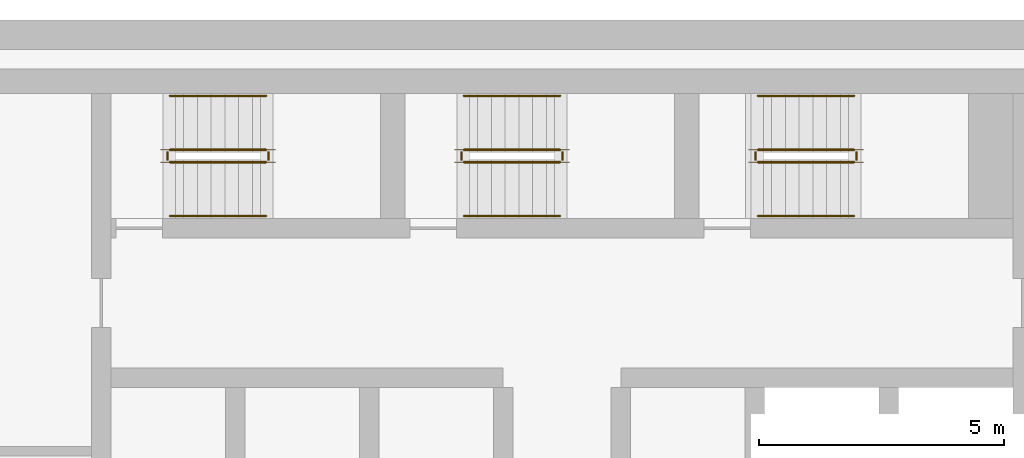
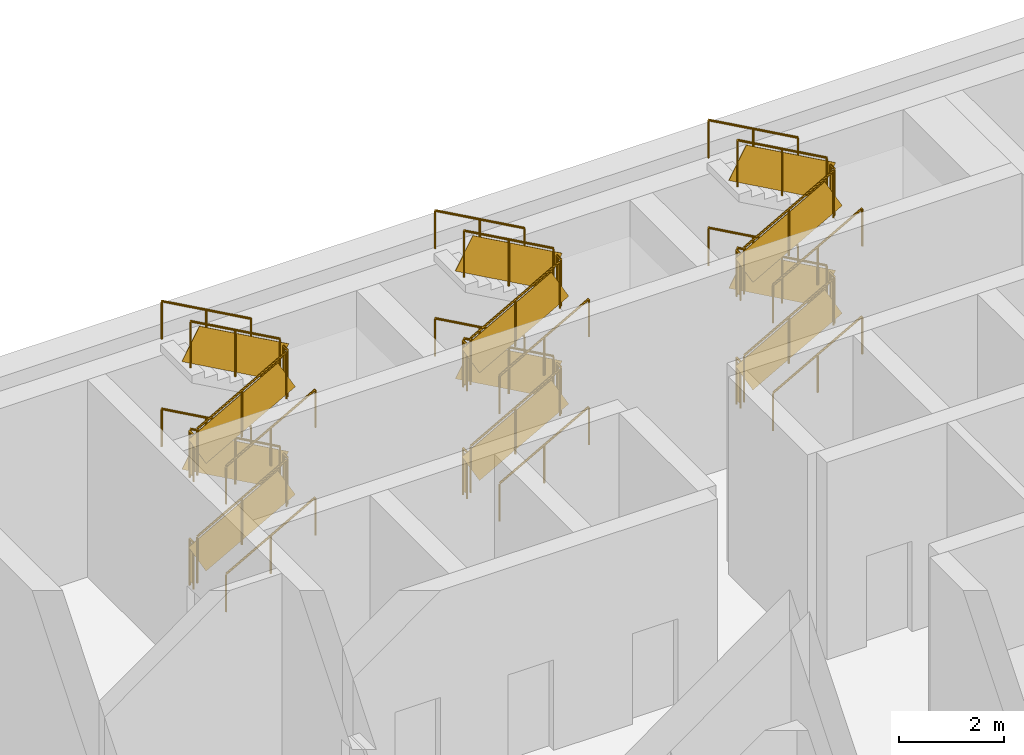
# One storey, part 11 of 12: 36 railings.
"""IFC4 building model written with IfcOpenShell, lengths in metres."""

from ifc_helpers import new_model, si_unit, direction, frame, origin, origin_2d, place, context, subcontext, project, spatial, rectangle, circle, extrude, material, type_object, element, save


model = new_model("IFC4")

# Units and contexts
model_context = context("Model", 3, precision=1e-05, world=origin(), true_north=direction((0.0, 1.0)))
body_context = subcontext(model_context, "Body", "Model", "MODEL_VIEW")
ifc_project = project(units=[si_unit("LENGTHUNIT", "METRE"), si_unit("AREAUNIT", "SQUARE_METRE"), si_unit("VOLUMEUNIT", "CUBIC_METRE"), si_unit("PLANEANGLEUNIT", "RADIAN"), si_unit("MASSUNIT", "GRAM", prefix="KILO")], contexts=[model_context])

# Site, building, storey
site_placement = place(None, origin())
site = spatial("IfcSite", under=ifc_project, at=site_placement, CompositionType="ELEMENT")
building_placement = place(site_placement, origin())
building = spatial("IfcBuilding", under=site, at=building_placement, Name="Vidyagriha Tower", CompositionType="ELEMENT")
storey_placement = place(building_placement, frame((0.0, 0.0, -5.0)))
storey = spatial("IfcBuildingStorey", under=building, at=storey_placement, Name="B1", CompositionType="ELEMENT", Elevation=-5.0)

# Railings
ifc_material_1 = material(Name="Steel ASTM A500 Grade C", Category="steel")
railing_type_1 = type_object("IfcRailingType", Name="Stair guard 1100 mm, steel balustrade", PredefinedType="GUARDRAIL", material=ifc_material_1)
railing_1_placement = place(storey_placement, frame((-8.0, 18.10009765625, 0.15625)))
element("IfcRailing", 1, at=railing_1_placement, inside=storey, type_object=railing_type_1, Name="B1 ST1 stair guard 1", PredefinedType="GUARDRAIL", context=body_context, shape_type="SweptSolid", body=[
    extrude(circle(Radius=0.02392578125, at=origin_2d()), frame((0.0, 0.0, 1.076171875), z_axis=(0.873232148454, 0.0, 0.487304437602), x_axis=(0.0, 1.0, 0.0)), (0.0, 0.0, 1.0), 2.244384765625),
    extrude(circle(Radius=0.02099609375, at=origin_2d()), origin(), (0.0, 0.0, 1.0), 1.052001953125),
    extrude(circle(Radius=0.02099609375, at=origin_2d()), frame((0.97998046875, 0.0, 0.546875)), (0.0, 0.0, 1.0), 1.052001953125),
    extrude(circle(Radius=0.02099609375, at=origin_2d()), frame((1.9599609375, 0.0, 1.09375)), (0.0, 0.0, 1.0), 1.052001953125),
    extrude(rectangle(XDim=0.010009765625, YDim=0.78759765625, at=origin_2d()), frame((0.0, 0.0, 0.551025390625), z_axis=(0.873232148454, 0.0, 0.487304437602), x_axis=(0.0, 1.0, 0.0)), (0.0, 0.0, 1.0), 2.244384765625),
])
railing_2_placement = place(storey_placement, frame((-5.989990234375, 18.14990234375, 1.25)))
element("IfcRailing", 2, at=railing_2_placement, inside=storey, type_object=railing_type_1, Name="B1 ST1 stair guard 2", PredefinedType="GUARDRAIL", context=body_context, shape_type="SweptSolid", body=[
    extrude(circle(Radius=0.02392578125, at=origin_2d()), frame((0.0, 0.0, 1.076171875), z_axis=(0.0, 1.0, 0.0), x_axis=(-1.0, 0.0, 0.0)), (0.0, 0.0, 1.0), 0.150146484375),
    extrude(circle(Radius=0.02099609375, at=origin_2d()), origin(), (0.0, 0.0, 1.0), 1.052001953125),
    extrude(circle(Radius=0.02099609375, at=origin_2d()), frame((0.0, 0.150146484375, 0.0)), (0.0, 0.0, 1.0), 1.052001953125),
    extrude(rectangle(XDim=0.010009765625, YDim=0.902099609375, at=origin_2d()), frame((0.0, 0.0, 0.551025390625), z_axis=(0.0, 1.0, 0.0), x_axis=(-1.0, 0.0, 0.0)), (0.0, 0.0, 1.0), 0.150146484375),
])
railing_3_placement = place(storey_placement, frame((-6.0400390625, 18.35009765625, 1.40625)))
element("IfcRailing", 3, at=railing_3_placement, inside=storey, type_object=railing_type_1, Name="B1 ST1 stair guard 3", PredefinedType="GUARDRAIL", context=body_context, shape_type="SweptSolid", body=[
    extrude(circle(Radius=0.02392578125, at=origin_2d()), frame((0.0, 0.0, 1.076171875), z_axis=(-0.873232148454, 0.0, 0.487304437602), x_axis=(0.0, -1.0, 0.0)), (0.0, 0.0, 1.0), 2.244384765625),
    extrude(circle(Radius=0.02099609375, at=origin_2d()), origin(), (0.0, 0.0, 1.0), 1.052001953125),
    extrude(circle(Radius=0.02099609375, at=origin_2d()), frame((-0.97998046875, 0.0, 0.546875)), (0.0, 0.0, 1.0), 1.052001953125),
    extrude(circle(Radius=0.02099609375, at=origin_2d()), frame((-1.9599609375, 0.0, 1.09375)), (0.0, 0.0, 1.0), 1.052001953125),
    extrude(rectangle(XDim=0.010009765625, YDim=0.78759765625, at=origin_2d()), frame((0.0, 0.0, 0.551025390625), z_axis=(-0.873232148454, 0.0, 0.487304437602), x_axis=(0.0, -1.0, 0.0)), (0.0, 0.0, 1.0), 2.244384765625),
])
railing_4_placement = place(storey_placement, frame((-8.050048828125, 18.14990234375, 2.5)))
element("IfcRailing", 4, at=railing_4_placement, inside=storey, type_object=railing_type_1, Name="B1 ST1 stair guard 4", PredefinedType="GUARDRAIL", context=body_context, shape_type="SweptSolid", body=[
    extrude(circle(Radius=0.02392578125, at=origin_2d()), frame((0.0, 0.0, 1.076171875), z_axis=(0.0, 1.0, 0.0), x_axis=(-1.0, 0.0, 0.0)), (0.0, 0.0, 1.0), 0.150146484375),
    extrude(circle(Radius=0.02099609375, at=origin_2d()), origin(), (0.0, 0.0, 1.0), 1.052001953125),
    extrude(circle(Radius=0.02099609375, at=origin_2d()), frame((0.0, 0.150146484375, 0.0)), (0.0, 0.0, 1.0), 1.052001953125),
    extrude(rectangle(XDim=0.010009765625, YDim=0.902099609375, at=origin_2d()), frame((0.0, 0.0, 0.551025390625), z_axis=(0.0, 1.0, 0.0), x_axis=(-1.0, 0.0, 0.0)), (0.0, 0.0, 1.0), 0.150146484375),
])
railing_5_placement = place(storey_placement, frame((-8.0, 18.10009765625, 2.65625)))
element("IfcRailing", 5, at=railing_5_placement, inside=storey, type_object=railing_type_1, Name="B1 ST1 stair guard 5", PredefinedType="GUARDRAIL", context=body_context, shape_type="SweptSolid", body=[
    extrude(circle(Radius=0.02392578125, at=origin_2d()), frame((0.0, 0.0, 1.076171875), z_axis=(0.873232148454, 0.0, 0.487304437602), x_axis=(0.0, 1.0, 0.0)), (0.0, 0.0, 1.0), 2.244384765625),
    extrude(circle(Radius=0.02099609375, at=origin_2d()), origin(), (0.0, 0.0, 1.0), 1.052001953125),
    extrude(circle(Radius=0.02099609375, at=origin_2d()), frame((0.97998046875, 0.0, 0.546875)), (0.0, 0.0, 1.0), 1.052001953125),
    extrude(circle(Radius=0.02099609375, at=origin_2d()), frame((1.9599609375, 0.0, 1.09375)), (0.0, 0.0, 1.0), 1.052001953125),
    extrude(rectangle(XDim=0.010009765625, YDim=0.78759765625, at=origin_2d()), frame((0.0, 0.0, 0.551025390625), z_axis=(0.873232148454, 0.0, 0.487304437602), x_axis=(0.0, 1.0, 0.0)), (0.0, 0.0, 1.0), 2.244384765625),
])
railing_6_placement = place(storey_placement, frame((-5.989990234375, 18.14990234375, 3.75)))
element("IfcRailing", 6, at=railing_6_placement, inside=storey, type_object=railing_type_1, Name="B1 ST1 stair guard 6", PredefinedType="GUARDRAIL", context=body_context, shape_type="SweptSolid", body=[
    extrude(circle(Radius=0.02392578125, at=origin_2d()), frame((0.0, 0.0, 1.076171875), z_axis=(0.0, 1.0, 0.0), x_axis=(-1.0, 0.0, 0.0)), (0.0, 0.0, 1.0), 0.150146484375),
    extrude(circle(Radius=0.02099609375, at=origin_2d()), origin(), (0.0, 0.0, 1.0), 1.052001953125),
    extrude(circle(Radius=0.02099609375, at=origin_2d()), frame((0.0, 0.150146484375, 0.0)), (0.0, 0.0, 1.0), 1.052001953125),
    extrude(rectangle(XDim=0.010009765625, YDim=0.902099609375, at=origin_2d()), frame((0.0, 0.0, 0.551025390625), z_axis=(0.0, 1.0, 0.0), x_axis=(-1.0, 0.0, 0.0)), (0.0, 0.0, 1.0), 0.150146484375),
])
railing_7_placement = place(storey_placement, frame((-6.0400390625, 18.35009765625, 3.90625)))
element("IfcRailing", 7, at=railing_7_placement, inside=storey, type_object=railing_type_1, Name="B1 ST1 stair guard 7", PredefinedType="GUARDRAIL", context=body_context, shape_type="SweptSolid", body=[
    extrude(circle(Radius=0.02392578125, at=origin_2d()), frame((0.0, 0.0, 1.076171875), z_axis=(-0.873232148454, 0.0, 0.487304437602), x_axis=(0.0, -1.0, 0.0)), (0.0, 0.0, 1.0), 2.244384765625),
    extrude(circle(Radius=0.02099609375, at=origin_2d()), origin(), (0.0, 0.0, 1.0), 1.052001953125),
    extrude(circle(Radius=0.02099609375, at=origin_2d()), frame((-0.97998046875, 0.0, 0.546875)), (0.0, 0.0, 1.0), 1.052001953125),
    extrude(circle(Radius=0.02099609375, at=origin_2d()), frame((-1.9599609375, 0.0, 1.09375)), (0.0, 0.0, 1.0), 1.052001953125),
    extrude(rectangle(XDim=0.010009765625, YDim=0.78759765625, at=origin_2d()), frame((0.0, 0.0, 0.551025390625), z_axis=(-0.873232148454, 0.0, 0.487304437602), x_axis=(0.0, -1.0, 0.0)), (0.0, 0.0, 1.0), 2.244384765625),
])
railing_8_placement = place(storey_placement, frame((-8.050048828125, 18.14990234375, 0.0)))
element("IfcRailing", 8, at=railing_8_placement, inside=storey, type_object=railing_type_1, Name="B1 ST1 stair guard 8", PredefinedType="GUARDRAIL", context=body_context, shape_type="SweptSolid", body=[
    extrude(circle(Radius=0.02392578125, at=origin_2d()), frame((0.0, 0.0, 1.076171875), z_axis=(0.0, 1.0, 0.0), x_axis=(-1.0, 0.0, 0.0)), (0.0, 0.0, 1.0), 0.150146484375),
    extrude(circle(Radius=0.02099609375, at=origin_2d()), origin(), (0.0, 0.0, 1.0), 1.052001953125),
    extrude(circle(Radius=0.02099609375, at=origin_2d()), frame((0.0, 0.150146484375, 0.0)), (0.0, 0.0, 1.0), 1.052001953125),
    extrude(rectangle(XDim=0.010009765625, YDim=0.902099609375, at=origin_2d()), frame((0.0, 0.0, 0.551025390625), z_axis=(0.0, 1.0, 0.0), x_axis=(-1.0, 0.0, 0.0)), (0.0, 0.0, 1.0), 0.150146484375),
])
railing_9_placement = place(storey_placement, frame((-2.0, 18.10009765625, 0.15625)))
element("IfcRailing", 9, at=railing_9_placement, inside=storey, type_object=railing_type_1, Name="B1 ST2 stair guard 1", PredefinedType="GUARDRAIL", context=body_context, shape_type="SweptSolid", body=[
    extrude(circle(Radius=0.02392578125, at=origin_2d()), frame((0.0, 0.0, 1.076171875), z_axis=(0.873232148454, 0.0, 0.487304437602), x_axis=(0.0, 1.0, 0.0)), (0.0, 0.0, 1.0), 2.244384765625),
    extrude(circle(Radius=0.02099609375, at=origin_2d()), origin(), (0.0, 0.0, 1.0), 1.052001953125),
    extrude(circle(Radius=0.02099609375, at=origin_2d()), frame((0.97998046875, 0.0, 0.546875)), (0.0, 0.0, 1.0), 1.052001953125),
    extrude(circle(Radius=0.02099609375, at=origin_2d()), frame((1.9599609375, 0.0, 1.09375)), (0.0, 0.0, 1.0), 1.052001953125),
    extrude(rectangle(XDim=0.010009765625, YDim=0.78759765625, at=origin_2d()), frame((0.0, 0.0, 0.551025390625), z_axis=(0.873232148454, 0.0, 0.487304437602), x_axis=(0.0, 1.0, 0.0)), (0.0, 0.0, 1.0), 2.244384765625),
])
railing_10_placement = place(storey_placement, frame((0.010009765625, 18.14990234375, 1.25)))
element("IfcRailing", 10, at=railing_10_placement, inside=storey, type_object=railing_type_1, Name="B1 ST2 stair guard 2", PredefinedType="GUARDRAIL", context=body_context, shape_type="SweptSolid", body=[
    extrude(circle(Radius=0.02392578125, at=origin_2d()), frame((0.0, 0.0, 1.076171875), z_axis=(0.0, 1.0, 0.0), x_axis=(-1.0, 0.0, 0.0)), (0.0, 0.0, 1.0), 0.150146484375),
    extrude(circle(Radius=0.02099609375, at=origin_2d()), origin(), (0.0, 0.0, 1.0), 1.052001953125),
    extrude(circle(Radius=0.02099609375, at=origin_2d()), frame((0.0, 0.150146484375, 0.0)), (0.0, 0.0, 1.0), 1.052001953125),
    extrude(rectangle(XDim=0.010009765625, YDim=0.902099609375, at=origin_2d()), frame((0.0, 0.0, 0.551025390625), z_axis=(0.0, 1.0, 0.0), x_axis=(-1.0, 0.0, 0.0)), (0.0, 0.0, 1.0), 0.150146484375),
])
railing_11_placement = place(storey_placement, frame((-0.0400390625, 18.35009765625, 1.40625)))
element("IfcRailing", 11, at=railing_11_placement, inside=storey, type_object=railing_type_1, Name="B1 ST2 stair guard 3", PredefinedType="GUARDRAIL", context=body_context, shape_type="SweptSolid", body=[
    extrude(circle(Radius=0.02392578125, at=origin_2d()), frame((0.0, 0.0, 1.076171875), z_axis=(-0.873232148454, 0.0, 0.487304437602), x_axis=(0.0, -1.0, 0.0)), (0.0, 0.0, 1.0), 2.244384765625),
    extrude(circle(Radius=0.02099609375, at=origin_2d()), origin(), (0.0, 0.0, 1.0), 1.052001953125),
    extrude(circle(Radius=0.02099609375, at=origin_2d()), frame((-0.97998046875, 0.0, 0.546875)), (0.0, 0.0, 1.0), 1.052001953125),
    extrude(circle(Radius=0.02099609375, at=origin_2d()), frame((-1.9599609375, 0.0, 1.09375)), (0.0, 0.0, 1.0), 1.052001953125),
    extrude(rectangle(XDim=0.010009765625, YDim=0.78759765625, at=origin_2d()), frame((0.0, 0.0, 0.551025390625), z_axis=(-0.873232148454, 0.0, 0.487304437602), x_axis=(0.0, -1.0, 0.0)), (0.0, 0.0, 1.0), 2.244384765625),
])
railing_12_placement = place(storey_placement, frame((-2.050048828125, 18.14990234375, 2.5)))
element("IfcRailing", 12, at=railing_12_placement, inside=storey, type_object=railing_type_1, Name="B1 ST2 stair guard 4", PredefinedType="GUARDRAIL", context=body_context, shape_type="SweptSolid", body=[
    extrude(circle(Radius=0.02392578125, at=origin_2d()), frame((0.0, 0.0, 1.076171875), z_axis=(0.0, 1.0, 0.0), x_axis=(-1.0, 0.0, 0.0)), (0.0, 0.0, 1.0), 0.150146484375),
    extrude(circle(Radius=0.02099609375, at=origin_2d()), origin(), (0.0, 0.0, 1.0), 1.052001953125),
    extrude(circle(Radius=0.02099609375, at=origin_2d()), frame((0.0, 0.150146484375, 0.0)), (0.0, 0.0, 1.0), 1.052001953125),
    extrude(rectangle(XDim=0.010009765625, YDim=0.902099609375, at=origin_2d()), frame((0.0, 0.0, 0.551025390625), z_axis=(0.0, 1.0, 0.0), x_axis=(-1.0, 0.0, 0.0)), (0.0, 0.0, 1.0), 0.150146484375),
])
railing_13_placement = place(storey_placement, frame((-2.0, 18.10009765625, 2.65625)))
element("IfcRailing", 13, at=railing_13_placement, inside=storey, type_object=railing_type_1, Name="B1 ST2 stair guard 5", PredefinedType="GUARDRAIL", context=body_context, shape_type="SweptSolid", body=[
    extrude(circle(Radius=0.02392578125, at=origin_2d()), frame((0.0, 0.0, 1.076171875), z_axis=(0.873232148454, 0.0, 0.487304437602), x_axis=(0.0, 1.0, 0.0)), (0.0, 0.0, 1.0), 2.244384765625),
    extrude(circle(Radius=0.02099609375, at=origin_2d()), origin(), (0.0, 0.0, 1.0), 1.052001953125),
    extrude(circle(Radius=0.02099609375, at=origin_2d()), frame((0.97998046875, 0.0, 0.546875)), (0.0, 0.0, 1.0), 1.052001953125),
    extrude(circle(Radius=0.02099609375, at=origin_2d()), frame((1.9599609375, 0.0, 1.09375)), (0.0, 0.0, 1.0), 1.052001953125),
    extrude(rectangle(XDim=0.010009765625, YDim=0.78759765625, at=origin_2d()), frame((0.0, 0.0, 0.551025390625), z_axis=(0.873232148454, 0.0, 0.487304437602), x_axis=(0.0, 1.0, 0.0)), (0.0, 0.0, 1.0), 2.244384765625),
])
railing_14_placement = place(storey_placement, frame((0.010009765625, 18.14990234375, 3.75)))
element("IfcRailing", 14, at=railing_14_placement, inside=storey, type_object=railing_type_1, Name="B1 ST2 stair guard 6", PredefinedType="GUARDRAIL", context=body_context, shape_type="SweptSolid", body=[
    extrude(circle(Radius=0.02392578125, at=origin_2d()), frame((0.0, 0.0, 1.076171875), z_axis=(0.0, 1.0, 0.0), x_axis=(-1.0, 0.0, 0.0)), (0.0, 0.0, 1.0), 0.150146484375),
    extrude(circle(Radius=0.02099609375, at=origin_2d()), origin(), (0.0, 0.0, 1.0), 1.052001953125),
    extrude(circle(Radius=0.02099609375, at=origin_2d()), frame((0.0, 0.150146484375, 0.0)), (0.0, 0.0, 1.0), 1.052001953125),
    extrude(rectangle(XDim=0.010009765625, YDim=0.902099609375, at=origin_2d()), frame((0.0, 0.0, 0.551025390625), z_axis=(0.0, 1.0, 0.0), x_axis=(-1.0, 0.0, 0.0)), (0.0, 0.0, 1.0), 0.150146484375),
])
railing_15_placement = place(storey_placement, frame((-0.0400390625, 18.35009765625, 3.90625)))
element("IfcRailing", 15, at=railing_15_placement, inside=storey, type_object=railing_type_1, Name="B1 ST2 stair guard 7", PredefinedType="GUARDRAIL", context=body_context, shape_type="SweptSolid", body=[
    extrude(circle(Radius=0.02392578125, at=origin_2d()), frame((0.0, 0.0, 1.076171875), z_axis=(-0.873232148454, 0.0, 0.487304437602), x_axis=(0.0, -1.0, 0.0)), (0.0, 0.0, 1.0), 2.244384765625),
    extrude(circle(Radius=0.02099609375, at=origin_2d()), origin(), (0.0, 0.0, 1.0), 1.052001953125),
    extrude(circle(Radius=0.02099609375, at=origin_2d()), frame((-0.97998046875, 0.0, 0.546875)), (0.0, 0.0, 1.0), 1.052001953125),
    extrude(circle(Radius=0.02099609375, at=origin_2d()), frame((-1.9599609375, 0.0, 1.09375)), (0.0, 0.0, 1.0), 1.052001953125),
    extrude(rectangle(XDim=0.010009765625, YDim=0.78759765625, at=origin_2d()), frame((0.0, 0.0, 0.551025390625), z_axis=(-0.873232148454, 0.0, 0.487304437602), x_axis=(0.0, -1.0, 0.0)), (0.0, 0.0, 1.0), 2.244384765625),
])
railing_16_placement = place(storey_placement, frame((-2.050048828125, 18.14990234375, 0.0)))
element("IfcRailing", 16, at=railing_16_placement, inside=storey, type_object=railing_type_1, Name="B1 ST2 stair guard 8", PredefinedType="GUARDRAIL", context=body_context, shape_type="SweptSolid", body=[
    extrude(circle(Radius=0.02392578125, at=origin_2d()), frame((0.0, 0.0, 1.076171875), z_axis=(0.0, 1.0, 0.0), x_axis=(-1.0, 0.0, 0.0)), (0.0, 0.0, 1.0), 0.150146484375),
    extrude(circle(Radius=0.02099609375, at=origin_2d()), origin(), (0.0, 0.0, 1.0), 1.052001953125),
    extrude(circle(Radius=0.02099609375, at=origin_2d()), frame((0.0, 0.150146484375, 0.0)), (0.0, 0.0, 1.0), 1.052001953125),
    extrude(rectangle(XDim=0.010009765625, YDim=0.902099609375, at=origin_2d()), frame((0.0, 0.0, 0.551025390625), z_axis=(0.0, 1.0, 0.0), x_axis=(-1.0, 0.0, 0.0)), (0.0, 0.0, 1.0), 0.150146484375),
])
railing_17_placement = place(storey_placement, frame((4.0, 18.10009765625, 0.15625)))
element("IfcRailing", 17, at=railing_17_placement, inside=storey, type_object=railing_type_1, Name="B1 ST3 stair guard 1", PredefinedType="GUARDRAIL", context=body_context, shape_type="SweptSolid", body=[
    extrude(circle(Radius=0.02392578125, at=origin_2d()), frame((0.0, 0.0, 1.076171875), z_axis=(0.873232148454, 0.0, 0.487304437602), x_axis=(0.0, 1.0, 0.0)), (0.0, 0.0, 1.0), 2.244384765625),
    extrude(circle(Radius=0.02099609375, at=origin_2d()), origin(), (0.0, 0.0, 1.0), 1.052001953125),
    extrude(circle(Radius=0.02099609375, at=origin_2d()), frame((0.97998046875, 0.0, 0.546875)), (0.0, 0.0, 1.0), 1.052001953125),
    extrude(circle(Radius=0.02099609375, at=origin_2d()), frame((1.9599609375, 0.0, 1.09375)), (0.0, 0.0, 1.0), 1.052001953125),
    extrude(rectangle(XDim=0.010009765625, YDim=0.78759765625, at=origin_2d()), frame((0.0, 0.0, 0.551025390625), z_axis=(0.873232148454, 0.0, 0.487304437602), x_axis=(0.0, 1.0, 0.0)), (0.0, 0.0, 1.0), 2.244384765625),
])
railing_18_placement = place(storey_placement, frame((6.010009765625, 18.14990234375, 1.25)))
element("IfcRailing", 18, at=railing_18_placement, inside=storey, type_object=railing_type_1, Name="B1 ST3 stair guard 2", PredefinedType="GUARDRAIL", context=body_context, shape_type="SweptSolid", body=[
    extrude(circle(Radius=0.02392578125, at=origin_2d()), frame((0.0, 0.0, 1.076171875), z_axis=(0.0, 1.0, 0.0), x_axis=(-1.0, 0.0, 0.0)), (0.0, 0.0, 1.0), 0.150146484375),
    extrude(circle(Radius=0.02099609375, at=origin_2d()), origin(), (0.0, 0.0, 1.0), 1.052001953125),
    extrude(circle(Radius=0.02099609375, at=origin_2d()), frame((0.0, 0.150146484375, 0.0)), (0.0, 0.0, 1.0), 1.052001953125),
    extrude(rectangle(XDim=0.010009765625, YDim=0.902099609375, at=origin_2d()), frame((0.0, 0.0, 0.551025390625), z_axis=(0.0, 1.0, 0.0), x_axis=(-1.0, 0.0, 0.0)), (0.0, 0.0, 1.0), 0.150146484375),
])
railing_19_placement = place(storey_placement, frame((5.9599609375, 18.35009765625, 1.40625)))
element("IfcRailing", 19, at=railing_19_placement, inside=storey, type_object=railing_type_1, Name="B1 ST3 stair guard 3", PredefinedType="GUARDRAIL", context=body_context, shape_type="SweptSolid", body=[
    extrude(circle(Radius=0.02392578125, at=origin_2d()), frame((0.0, 0.0, 1.076171875), z_axis=(-0.873232148454, 0.0, 0.487304437602), x_axis=(0.0, -1.0, 0.0)), (0.0, 0.0, 1.0), 2.244384765625),
    extrude(circle(Radius=0.02099609375, at=origin_2d()), origin(), (0.0, 0.0, 1.0), 1.052001953125),
    extrude(circle(Radius=0.02099609375, at=origin_2d()), frame((-0.97998046875, 0.0, 0.546875)), (0.0, 0.0, 1.0), 1.052001953125),
    extrude(circle(Radius=0.02099609375, at=origin_2d()), frame((-1.9599609375, 0.0, 1.09375)), (0.0, 0.0, 1.0), 1.052001953125),
    extrude(rectangle(XDim=0.010009765625, YDim=0.78759765625, at=origin_2d()), frame((0.0, 0.0, 0.551025390625), z_axis=(-0.873232148454, 0.0, 0.487304437602), x_axis=(0.0, -1.0, 0.0)), (0.0, 0.0, 1.0), 2.244384765625),
])
railing_20_placement = place(storey_placement, frame((3.949951171875, 18.14990234375, 2.5)))
element("IfcRailing", 20, at=railing_20_placement, inside=storey, type_object=railing_type_1, Name="B1 ST3 stair guard 4", PredefinedType="GUARDRAIL", context=body_context, shape_type="SweptSolid", body=[
    extrude(circle(Radius=0.02392578125, at=origin_2d()), frame((0.0, 0.0, 1.076171875), z_axis=(0.0, 1.0, 0.0), x_axis=(-1.0, 0.0, 0.0)), (0.0, 0.0, 1.0), 0.150146484375),
    extrude(circle(Radius=0.02099609375, at=origin_2d()), origin(), (0.0, 0.0, 1.0), 1.052001953125),
    extrude(circle(Radius=0.02099609375, at=origin_2d()), frame((0.0, 0.150146484375, 0.0)), (0.0, 0.0, 1.0), 1.052001953125),
    extrude(rectangle(XDim=0.010009765625, YDim=0.902099609375, at=origin_2d()), frame((0.0, 0.0, 0.551025390625), z_axis=(0.0, 1.0, 0.0), x_axis=(-1.0, 0.0, 0.0)), (0.0, 0.0, 1.0), 0.150146484375),
])
railing_21_placement = place(storey_placement, frame((4.0, 18.10009765625, 2.65625)))
element("IfcRailing", 21, at=railing_21_placement, inside=storey, type_object=railing_type_1, Name="B1 ST3 stair guard 5", PredefinedType="GUARDRAIL", context=body_context, shape_type="SweptSolid", body=[
    extrude(circle(Radius=0.02392578125, at=origin_2d()), frame((0.0, 0.0, 1.076171875), z_axis=(0.873232148454, 0.0, 0.487304437602), x_axis=(0.0, 1.0, 0.0)), (0.0, 0.0, 1.0), 2.244384765625),
    extrude(circle(Radius=0.02099609375, at=origin_2d()), origin(), (0.0, 0.0, 1.0), 1.052001953125),
    extrude(circle(Radius=0.02099609375, at=origin_2d()), frame((0.97998046875, 0.0, 0.546875)), (0.0, 0.0, 1.0), 1.052001953125),
    extrude(circle(Radius=0.02099609375, at=origin_2d()), frame((1.9599609375, 0.0, 1.09375)), (0.0, 0.0, 1.0), 1.052001953125),
    extrude(rectangle(XDim=0.010009765625, YDim=0.78759765625, at=origin_2d()), frame((0.0, 0.0, 0.551025390625), z_axis=(0.873232148454, 0.0, 0.487304437602), x_axis=(0.0, 1.0, 0.0)), (0.0, 0.0, 1.0), 2.244384765625),
])
railing_22_placement = place(storey_placement, frame((6.010009765625, 18.14990234375, 3.75)))
element("IfcRailing", 22, at=railing_22_placement, inside=storey, type_object=railing_type_1, Name="B1 ST3 stair guard 6", PredefinedType="GUARDRAIL", context=body_context, shape_type="SweptSolid", body=[
    extrude(circle(Radius=0.02392578125, at=origin_2d()), frame((0.0, 0.0, 1.076171875), z_axis=(0.0, 1.0, 0.0), x_axis=(-1.0, 0.0, 0.0)), (0.0, 0.0, 1.0), 0.150146484375),
    extrude(circle(Radius=0.02099609375, at=origin_2d()), origin(), (0.0, 0.0, 1.0), 1.052001953125),
    extrude(circle(Radius=0.02099609375, at=origin_2d()), frame((0.0, 0.150146484375, 0.0)), (0.0, 0.0, 1.0), 1.052001953125),
    extrude(rectangle(XDim=0.010009765625, YDim=0.902099609375, at=origin_2d()), frame((0.0, 0.0, 0.551025390625), z_axis=(0.0, 1.0, 0.0), x_axis=(-1.0, 0.0, 0.0)), (0.0, 0.0, 1.0), 0.150146484375),
])
railing_23_placement = place(storey_placement, frame((5.9599609375, 18.35009765625, 3.90625)))
element("IfcRailing", 23, at=railing_23_placement, inside=storey, type_object=railing_type_1, Name="B1 ST3 stair guard 7", PredefinedType="GUARDRAIL", context=body_context, shape_type="SweptSolid", body=[
    extrude(circle(Radius=0.02392578125, at=origin_2d()), frame((0.0, 0.0, 1.076171875), z_axis=(-0.873232148454, 0.0, 0.487304437602), x_axis=(0.0, -1.0, 0.0)), (0.0, 0.0, 1.0), 2.244384765625),
    extrude(circle(Radius=0.02099609375, at=origin_2d()), origin(), (0.0, 0.0, 1.0), 1.052001953125),
    extrude(circle(Radius=0.02099609375, at=origin_2d()), frame((-0.97998046875, 0.0, 0.546875)), (0.0, 0.0, 1.0), 1.052001953125),
    extrude(circle(Radius=0.02099609375, at=origin_2d()), frame((-1.9599609375, 0.0, 1.09375)), (0.0, 0.0, 1.0), 1.052001953125),
    extrude(rectangle(XDim=0.010009765625, YDim=0.78759765625, at=origin_2d()), frame((0.0, 0.0, 0.551025390625), z_axis=(-0.873232148454, 0.0, 0.487304437602), x_axis=(0.0, -1.0, 0.0)), (0.0, 0.0, 1.0), 2.244384765625),
])
railing_24_placement = place(storey_placement, frame((3.949951171875, 18.14990234375, 0.0)))
element("IfcRailing", 24, at=railing_24_placement, inside=storey, type_object=railing_type_1, Name="B1 ST3 stair guard 8", PredefinedType="GUARDRAIL", context=body_context, shape_type="SweptSolid", body=[
    extrude(circle(Radius=0.02392578125, at=origin_2d()), frame((0.0, 0.0, 1.076171875), z_axis=(0.0, 1.0, 0.0), x_axis=(-1.0, 0.0, 0.0)), (0.0, 0.0, 1.0), 0.150146484375),
    extrude(circle(Radius=0.02099609375, at=origin_2d()), origin(), (0.0, 0.0, 1.0), 1.052001953125),
    extrude(circle(Radius=0.02099609375, at=origin_2d()), frame((0.0, 0.150146484375, 0.0)), (0.0, 0.0, 1.0), 1.052001953125),
    extrude(rectangle(XDim=0.010009765625, YDim=0.902099609375, at=origin_2d()), frame((0.0, 0.0, 0.551025390625), z_axis=(0.0, 1.0, 0.0), x_axis=(-1.0, 0.0, 0.0)), (0.0, 0.0, 1.0), 0.150146484375),
])
ifc_material_2 = material(Name="Steel ASTM A500 Grade C", Category="steel")
railing_type_2 = type_object("IfcRailingType", Name="Stair handrail 900 mm, steel", PredefinedType="HANDRAIL", material=ifc_material_2)
railing_25_placement = place(storey_placement, frame((-8.0, 17.0, 0.15625)))
element("IfcRailing", 25, at=railing_25_placement, inside=storey, type_object=railing_type_2, Name="B1 ST1 stair handrail 1", PredefinedType="HANDRAIL", context=body_context, shape_type="SweptSolid", body=[
    extrude(circle(Radius=0.02392578125, at=origin_2d()), frame((0.0, 0.0, 0.8759765625), z_axis=(0.873232148454, 0.0, 0.487304437602), x_axis=(0.0, 1.0, 0.0)), (0.0, 0.0, 1.0), 2.244384765625),
    extrude(circle(Radius=0.02099609375, at=origin_2d()), origin(), (0.0, 0.0, 1.0), 0.851806640625),
    extrude(circle(Radius=0.02099609375, at=origin_2d()), frame((0.97998046875, 0.0, 0.546875)), (0.0, 0.0, 1.0), 0.851806640625),
    extrude(circle(Radius=0.02099609375, at=origin_2d()), frame((1.9599609375, 0.0, 1.09375)), (0.0, 0.0, 1.0), 0.851806640625),
])
railing_26_placement = place(storey_placement, frame((-6.0400390625, 19.449951171875, 1.40625)))
element("IfcRailing", 26, at=railing_26_placement, inside=storey, type_object=railing_type_2, Name="B1 ST1 stair handrail 2", PredefinedType="HANDRAIL", context=body_context, shape_type="SweptSolid", body=[
    extrude(circle(Radius=0.02392578125, at=origin_2d()), frame((0.0, 0.0, 0.8759765625), z_axis=(-0.873232148454, 0.0, 0.487304437602), x_axis=(0.0, -1.0, 0.0)), (0.0, 0.0, 1.0), 2.244384765625),
    extrude(circle(Radius=0.02099609375, at=origin_2d()), origin(), (0.0, 0.0, 1.0), 0.851806640625),
    extrude(circle(Radius=0.02099609375, at=origin_2d()), frame((-0.97998046875, 0.0, 0.546875)), (0.0, 0.0, 1.0), 0.851806640625),
    extrude(circle(Radius=0.02099609375, at=origin_2d()), frame((-1.9599609375, 0.0, 1.09375)), (0.0, 0.0, 1.0), 0.851806640625),
])
railing_27_placement = place(storey_placement, frame((-8.0, 17.0, 2.65625)))
element("IfcRailing", 27, at=railing_27_placement, inside=storey, type_object=railing_type_2, Name="B1 ST1 stair handrail 3", PredefinedType="HANDRAIL", context=body_context, shape_type="SweptSolid", body=[
    extrude(circle(Radius=0.02392578125, at=origin_2d()), frame((0.0, 0.0, 0.8759765625), z_axis=(0.873232148454, 0.0, 0.487304437602), x_axis=(0.0, 1.0, 0.0)), (0.0, 0.0, 1.0), 2.244384765625),
    extrude(circle(Radius=0.02099609375, at=origin_2d()), origin(), (0.0, 0.0, 1.0), 0.851806640625),
    extrude(circle(Radius=0.02099609375, at=origin_2d()), frame((0.97998046875, 0.0, 0.546875)), (0.0, 0.0, 1.0), 0.851806640625),
    extrude(circle(Radius=0.02099609375, at=origin_2d()), frame((1.9599609375, 0.0, 1.09375)), (0.0, 0.0, 1.0), 0.851806640625),
])
railing_28_placement = place(storey_placement, frame((-6.0400390625, 19.449951171875, 3.90625)))
element("IfcRailing", 28, at=railing_28_placement, inside=storey, type_object=railing_type_2, Name="B1 ST1 stair handrail 4", PredefinedType="HANDRAIL", context=body_context, shape_type="SweptSolid", body=[
    extrude(circle(Radius=0.02392578125, at=origin_2d()), frame((0.0, 0.0, 0.8759765625), z_axis=(-0.873232148454, 0.0, 0.487304437602), x_axis=(0.0, -1.0, 0.0)), (0.0, 0.0, 1.0), 2.244384765625),
    extrude(circle(Radius=0.02099609375, at=origin_2d()), origin(), (0.0, 0.0, 1.0), 0.851806640625),
    extrude(circle(Radius=0.02099609375, at=origin_2d()), frame((-0.97998046875, 0.0, 0.546875)), (0.0, 0.0, 1.0), 0.851806640625),
    extrude(circle(Radius=0.02099609375, at=origin_2d()), frame((-1.9599609375, 0.0, 1.09375)), (0.0, 0.0, 1.0), 0.851806640625),
])
railing_29_placement = place(storey_placement, frame((-2.0, 17.0, 0.15625)))
element("IfcRailing", 29, at=railing_29_placement, inside=storey, type_object=railing_type_2, Name="B1 ST2 stair handrail 1", PredefinedType="HANDRAIL", context=body_context, shape_type="SweptSolid", body=[
    extrude(circle(Radius=0.02392578125, at=origin_2d()), frame((0.0, 0.0, 0.8759765625), z_axis=(0.873232148454, 0.0, 0.487304437602), x_axis=(0.0, 1.0, 0.0)), (0.0, 0.0, 1.0), 2.244384765625),
    extrude(circle(Radius=0.02099609375, at=origin_2d()), origin(), (0.0, 0.0, 1.0), 0.851806640625),
    extrude(circle(Radius=0.02099609375, at=origin_2d()), frame((0.97998046875, 0.0, 0.546875)), (0.0, 0.0, 1.0), 0.851806640625),
    extrude(circle(Radius=0.02099609375, at=origin_2d()), frame((1.9599609375, 0.0, 1.09375)), (0.0, 0.0, 1.0), 0.851806640625),
])
railing_30_placement = place(storey_placement, frame((-0.0400390625, 19.449951171875, 1.40625)))
element("IfcRailing", 30, at=railing_30_placement, inside=storey, type_object=railing_type_2, Name="B1 ST2 stair handrail 2", PredefinedType="HANDRAIL", context=body_context, shape_type="SweptSolid", body=[
    extrude(circle(Radius=0.02392578125, at=origin_2d()), frame((0.0, 0.0, 0.8759765625), z_axis=(-0.873232148454, 0.0, 0.487304437602), x_axis=(0.0, -1.0, 0.0)), (0.0, 0.0, 1.0), 2.244384765625),
    extrude(circle(Radius=0.02099609375, at=origin_2d()), origin(), (0.0, 0.0, 1.0), 0.851806640625),
    extrude(circle(Radius=0.02099609375, at=origin_2d()), frame((-0.97998046875, 0.0, 0.546875)), (0.0, 0.0, 1.0), 0.851806640625),
    extrude(circle(Radius=0.02099609375, at=origin_2d()), frame((-1.9599609375, 0.0, 1.09375)), (0.0, 0.0, 1.0), 0.851806640625),
])
railing_31_placement = place(storey_placement, frame((-2.0, 17.0, 2.65625)))
element("IfcRailing", 31, at=railing_31_placement, inside=storey, type_object=railing_type_2, Name="B1 ST2 stair handrail 3", PredefinedType="HANDRAIL", context=body_context, shape_type="SweptSolid", body=[
    extrude(circle(Radius=0.02392578125, at=origin_2d()), frame((0.0, 0.0, 0.8759765625), z_axis=(0.873232148454, 0.0, 0.487304437602), x_axis=(0.0, 1.0, 0.0)), (0.0, 0.0, 1.0), 2.244384765625),
    extrude(circle(Radius=0.02099609375, at=origin_2d()), origin(), (0.0, 0.0, 1.0), 0.851806640625),
    extrude(circle(Radius=0.02099609375, at=origin_2d()), frame((0.97998046875, 0.0, 0.546875)), (0.0, 0.0, 1.0), 0.851806640625),
    extrude(circle(Radius=0.02099609375, at=origin_2d()), frame((1.9599609375, 0.0, 1.09375)), (0.0, 0.0, 1.0), 0.851806640625),
])
railing_32_placement = place(storey_placement, frame((-0.0400390625, 19.449951171875, 3.90625)))
element("IfcRailing", 32, at=railing_32_placement, inside=storey, type_object=railing_type_2, Name="B1 ST2 stair handrail 4", PredefinedType="HANDRAIL", context=body_context, shape_type="SweptSolid", body=[
    extrude(circle(Radius=0.02392578125, at=origin_2d()), frame((0.0, 0.0, 0.8759765625), z_axis=(-0.873232148454, 0.0, 0.487304437602), x_axis=(0.0, -1.0, 0.0)), (0.0, 0.0, 1.0), 2.244384765625),
    extrude(circle(Radius=0.02099609375, at=origin_2d()), origin(), (0.0, 0.0, 1.0), 0.851806640625),
    extrude(circle(Radius=0.02099609375, at=origin_2d()), frame((-0.97998046875, 0.0, 0.546875)), (0.0, 0.0, 1.0), 0.851806640625),
    extrude(circle(Radius=0.02099609375, at=origin_2d()), frame((-1.9599609375, 0.0, 1.09375)), (0.0, 0.0, 1.0), 0.851806640625),
])
railing_33_placement = place(storey_placement, frame((4.0, 17.0, 0.15625)))
element("IfcRailing", 33, at=railing_33_placement, inside=storey, type_object=railing_type_2, Name="B1 ST3 stair handrail 1", PredefinedType="HANDRAIL", context=body_context, shape_type="SweptSolid", body=[
    extrude(circle(Radius=0.02392578125, at=origin_2d()), frame((0.0, 0.0, 0.8759765625), z_axis=(0.873232148454, 0.0, 0.487304437602), x_axis=(0.0, 1.0, 0.0)), (0.0, 0.0, 1.0), 2.244384765625),
    extrude(circle(Radius=0.02099609375, at=origin_2d()), origin(), (0.0, 0.0, 1.0), 0.851806640625),
    extrude(circle(Radius=0.02099609375, at=origin_2d()), frame((0.97998046875, 0.0, 0.546875)), (0.0, 0.0, 1.0), 0.851806640625),
    extrude(circle(Radius=0.02099609375, at=origin_2d()), frame((1.9599609375, 0.0, 1.09375)), (0.0, 0.0, 1.0), 0.851806640625),
])
railing_34_placement = place(storey_placement, frame((5.9599609375, 19.449951171875, 1.40625)))
element("IfcRailing", 34, at=railing_34_placement, inside=storey, type_object=railing_type_2, Name="B1 ST3 stair handrail 2", PredefinedType="HANDRAIL", context=body_context, shape_type="SweptSolid", body=[
    extrude(circle(Radius=0.02392578125, at=origin_2d()), frame((0.0, 0.0, 0.8759765625), z_axis=(-0.873232148454, 0.0, 0.487304437602), x_axis=(0.0, -1.0, 0.0)), (0.0, 0.0, 1.0), 2.244384765625),
    extrude(circle(Radius=0.02099609375, at=origin_2d()), origin(), (0.0, 0.0, 1.0), 0.851806640625),
    extrude(circle(Radius=0.02099609375, at=origin_2d()), frame((-0.97998046875, 0.0, 0.546875)), (0.0, 0.0, 1.0), 0.851806640625),
    extrude(circle(Radius=0.02099609375, at=origin_2d()), frame((-1.9599609375, 0.0, 1.09375)), (0.0, 0.0, 1.0), 0.851806640625),
])
railing_35_placement = place(storey_placement, frame((4.0, 17.0, 2.65625)))
element("IfcRailing", 35, at=railing_35_placement, inside=storey, type_object=railing_type_2, Name="B1 ST3 stair handrail 3", PredefinedType="HANDRAIL", context=body_context, shape_type="SweptSolid", body=[
    extrude(circle(Radius=0.02392578125, at=origin_2d()), frame((0.0, 0.0, 0.8759765625), z_axis=(0.873232148454, 0.0, 0.487304437602), x_axis=(0.0, 1.0, 0.0)), (0.0, 0.0, 1.0), 2.244384765625),
    extrude(circle(Radius=0.02099609375, at=origin_2d()), origin(), (0.0, 0.0, 1.0), 0.851806640625),
    extrude(circle(Radius=0.02099609375, at=origin_2d()), frame((0.97998046875, 0.0, 0.546875)), (0.0, 0.0, 1.0), 0.851806640625),
    extrude(circle(Radius=0.02099609375, at=origin_2d()), frame((1.9599609375, 0.0, 1.09375)), (0.0, 0.0, 1.0), 0.851806640625),
])
railing_36_placement = place(storey_placement, frame((5.9599609375, 19.449951171875, 3.90625)))
element("IfcRailing", 36, at=railing_36_placement, inside=storey, type_object=railing_type_2, Name="B1 ST3 stair handrail 4", PredefinedType="HANDRAIL", context=body_context, shape_type="SweptSolid", body=[
    extrude(circle(Radius=0.02392578125, at=origin_2d()), frame((0.0, 0.0, 0.8759765625), z_axis=(-0.873232148454, 0.0, 0.487304437602), x_axis=(0.0, -1.0, 0.0)), (0.0, 0.0, 1.0), 2.244384765625),
    extrude(circle(Radius=0.02099609375, at=origin_2d()), origin(), (0.0, 0.0, 1.0), 0.851806640625),
    extrude(circle(Radius=0.02099609375, at=origin_2d()), frame((-0.97998046875, 0.0, 0.546875)), (0.0, 0.0, 1.0), 0.851806640625),
    extrude(circle(Radius=0.02099609375, at=origin_2d()), frame((-1.9599609375, 0.0, 1.09375)), (0.0, 0.0, 1.0), 0.851806640625),
])

save(model, "model.ifc")
